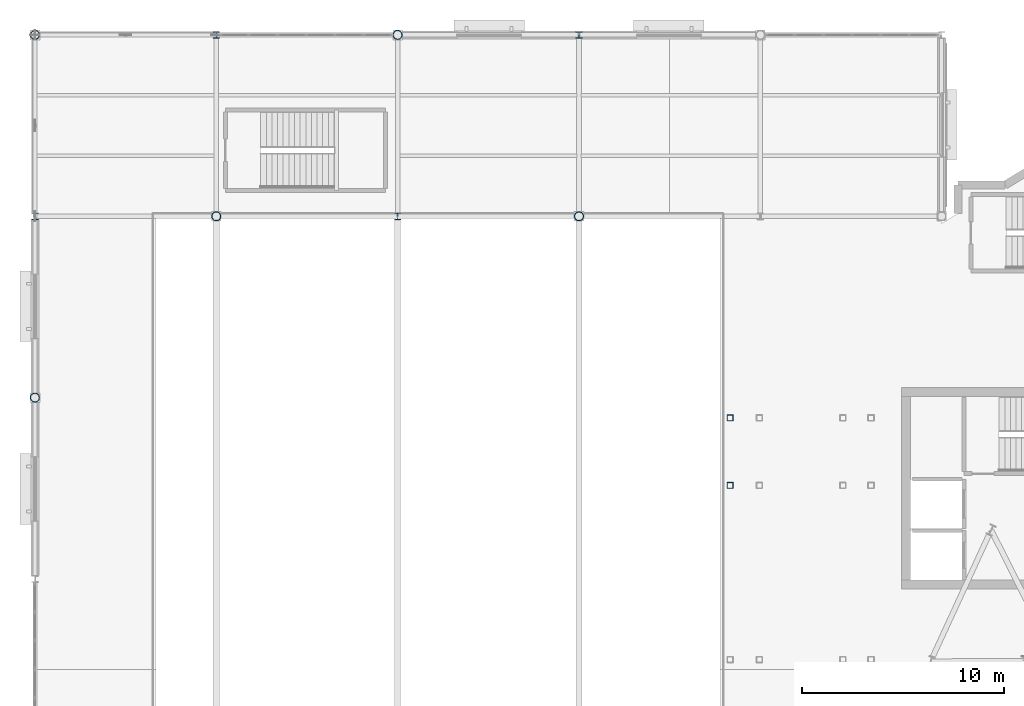
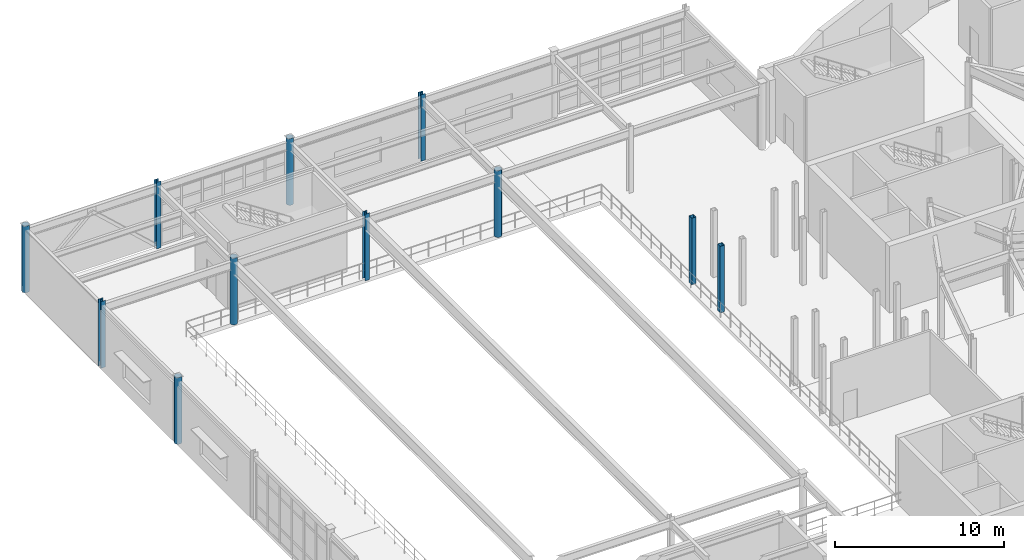
# One storey, part 12 of 86: 11 columns.
"""IFC4 building model written with IfcOpenShell, lengths in metres."""

from ifc_helpers import new_model, si_unit, direction, frame, origin, origin_2d, place, context, subcontext, project, spatial, hollow_rectangle, hollow_circle, i_section, extrude, material, material_profile, profile_set, type_object, element, save


model = new_model("IFC4")

# Units and contexts
model_context = context("Model", 3, precision=1e-05, world=origin(), true_north=direction((0.0, 1.0)))
body_context = subcontext(model_context, "Body", "Model", "MODEL_VIEW")
ifc_project = project(units=[si_unit("LENGTHUNIT", "METRE"), si_unit("AREAUNIT", "SQUARE_METRE"), si_unit("VOLUMEUNIT", "CUBIC_METRE"), si_unit("PLANEANGLEUNIT", "RADIAN"), si_unit("MASSUNIT", "GRAM", prefix="KILO")], contexts=[model_context])

# Site, building, storey
site_placement = place(None, origin())
site = spatial("IfcSite", under=ifc_project, at=site_placement, CompositionType="ELEMENT")
building_placement = place(site_placement, origin())
building = spatial("IfcBuilding", under=site, at=building_placement, Name="Glasvene Arena", CompositionType="ELEMENT")
storey_placement = place(building_placement, frame((0.0, 0.0, 5.39990234375)))
storey = spatial("IfcBuildingStorey", under=building, at=storey_placement, Name="L01", CompositionType="ELEMENT", Elevation=5.39990234375)

# Columns
ifc_material = material(Name="Steel S355J2", Category="steel")
ifc_material_profile_1 = material_profile(ifc_material, hollow_circle(Radius=0.228515625, WallThickness=0.02001953125, at=origin_2d()), Name="CHS 457.0x20.0")
ifc_profile_set_1 = profile_set([ifc_material_profile_1], Name="Steel S355J2")
column_type_1 = type_object("IfcColumnType", Name="COL-W-CHS457", PredefinedType="COLUMN", material=ifc_profile_set_1)
for number, where, z_axis, x_axis, name in (
    (1, (0.0, 100.0, 0.0), (0.0, 0.0, 1.0), (1.0, 0.0, 0.0), "Grid column 1-12 L01"),
    (2, (0.0, 118.0, 0.0), (0.0, 0.0, 1.0), (1.0, 0.0, 0.0), "Grid column 1-14 L01"),
    (3, (9.0, 109.0, 0.0), (0.0, 0.0, 1.0), (1.0, 0.0, 0.0), "Grid column 2-13 L01"),
    (4, (18.0, 118.0, 0.0), (0.0, 0.0, 1.0), (1.0, 0.0, 0.0), "Grid column 3-14 L01"),
    (5, (27.0, 109.0, 0.0), (0.0, 0.0, 1.0), (1.0, 0.0, 0.0), "Grid column 4-13 L01"),
):
    element("IfcColumn", number, at=place(storey_placement, frame(where, z_axis=z_axis, x_axis=x_axis)), inside=storey, type_object=column_type_1, Name=name, PredefinedType="COLUMN", context=body_context, shape_type="SweptSolid", body=[
        extrude(hollow_circle(Radius=0.228515625, WallThickness=0.02001953125, at=origin_2d()), origin(), (0.0, 0.0, 1.0), 4.800048828125),
    ])
ifc_material_profile_2 = material_profile(ifc_material, hollow_rectangle(XDim=0.300048828125, YDim=0.300048828125, WallThickness=0.012451171875, at=origin_2d()), Name="SHS 300x300x12.5")
ifc_profile_set_2 = profile_set([ifc_material_profile_2], Name="Steel S355J2")
column_type_2 = type_object("IfcColumnType", Name="COL-W-SHS300", PredefinedType="COLUMN", material=ifc_profile_set_2)
for number, where, z_axis, x_axis, name in (
    (6, (34.5, 95.64990234375, 0.0), (0.0, 0.0, 1.0), (1.0, 0.0, 0.0), "Vomitory arrival support column VOM-06 L01"),
    (7, (34.5, 99.0, 0.0), (0.0, 0.0, 1.0), (1.0, 0.0, 0.0), "Vomitory arrival support column VOM-06 L01"),
):
    element("IfcColumn", number, at=place(storey_placement, frame(where, z_axis=z_axis, x_axis=x_axis)), inside=storey, type_object=column_type_2, Name=name, PredefinedType="COLUMN", context=body_context, shape_type="SweptSolid", body=[
        extrude(hollow_rectangle(XDim=0.300048828125, YDim=0.300048828125, WallThickness=0.012451171875, at=origin_2d()), origin(), (0.0, 0.0, 1.0), 4.800048828125),
    ])
ifc_material_profile_3 = material_profile(ifc_material, i_section(OverallWidth=0.30908203125, OverallDepth=0.320556640625, WebThickness=0.013916015625, FlangeThickness=0.021728515625, FilletRadius=0.01513671875, at=origin_2d()), Name="UKC 305x305x137")
ifc_profile_set_3 = profile_set([ifc_material_profile_3], Name="Steel S355J2")
column_type_3 = type_object("IfcColumnType", Name="COL-W-UKC137", PredefinedType="COLUMN", material=ifc_profile_set_3)
for number, where, z_axis, x_axis, name in (
    (8, (0.0, 109.0, 0.0), (0.0, 0.0, 1.0), (1.0, 0.0, 0.0), "Grid column 1-13 L01"),
    (9, (9.0, 118.0, 0.0), (0.0, 0.0, 1.0), (1.0, 0.0, 0.0), "Grid column 2-14 L01"),
    (10, (18.0, 109.0, 0.0), (0.0, 0.0, 1.0), (1.0, 0.0, 0.0), "Grid column 3-13 L01"),
    (11, (27.0, 118.0, 0.0), (0.0, 0.0, 1.0), (1.0, 0.0, 0.0), "Grid column 4-14 L01"),
):
    element("IfcColumn", number, at=place(storey_placement, frame(where, z_axis=z_axis, x_axis=x_axis)), inside=storey, type_object=column_type_3, Name=name, PredefinedType="COLUMN", context=body_context, shape_type="SweptSolid", body=[
        extrude(i_section(OverallWidth=0.30908203125, OverallDepth=0.320556640625, WebThickness=0.013916015625, FlangeThickness=0.021728515625, FilletRadius=0.01513671875, at=origin_2d()), origin(), (0.0, 0.0, 1.0), 4.800048828125),
    ])

save(model, "model.ifc")
